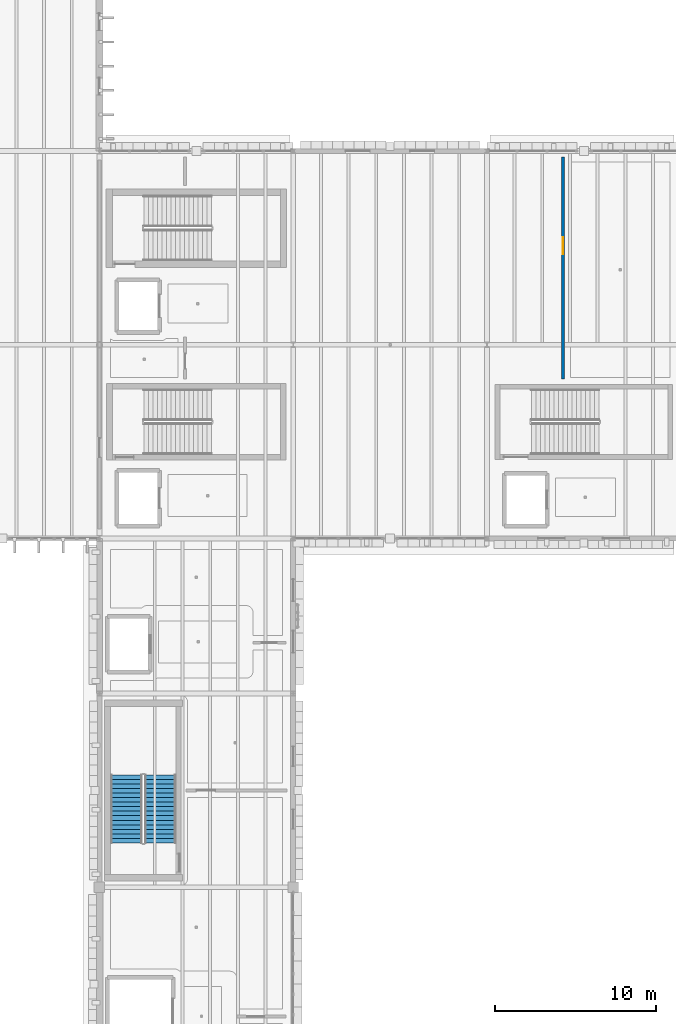
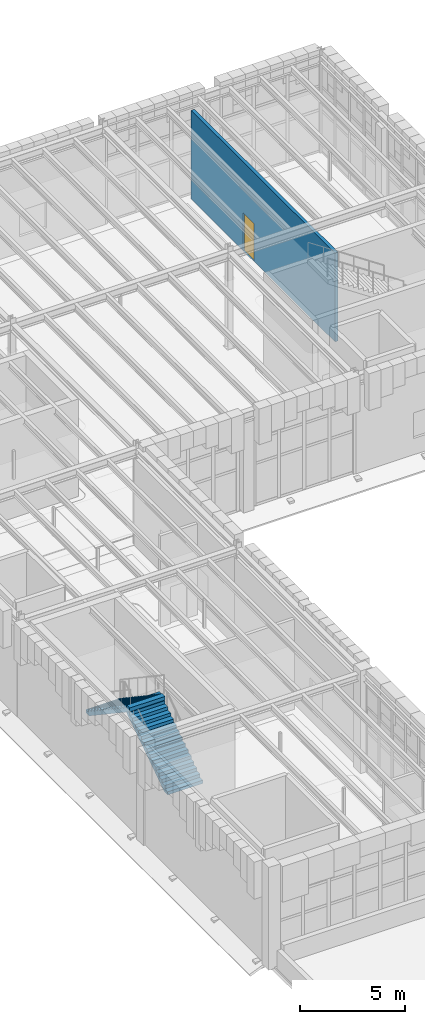
# One storey, part 50 of 83: 2 stair flights, 1 door, 1 wall, 1 opening, 1 element without a shape of its own.
"""IFC4 building model written with IfcOpenShell, lengths in metres."""

from ifc_helpers import new_model, si_unit, direction, frame, frame_2d, origin, place, context, subcontext, project, spatial, polyline, rectangle, outline, extrude, material, layer, layer_set, type_object, element, fill, aggregate, save


model = new_model("IFC4")

# Units and contexts
model_context = context("Model", 3, precision=1e-05, world=origin(), true_north=direction((0.0, 1.0)))
body_context = subcontext(model_context, "Body", "Model", "MODEL_VIEW")
ifc_project = project(units=[si_unit("LENGTHUNIT", "METRE"), si_unit("AREAUNIT", "SQUARE_METRE"), si_unit("VOLUMEUNIT", "CUBIC_METRE"), si_unit("PLANEANGLEUNIT", "RADIAN"), si_unit("MASSUNIT", "GRAM", prefix="KILO")], contexts=[model_context])

# Site, building, storey
site_placement = place(None, origin())
site = spatial("IfcSite", under=ifc_project, at=site_placement, CompositionType="ELEMENT")
building_placement = place(site_placement, origin())
building = spatial("IfcBuilding", under=site, at=building_placement, Name="Zlatogorsky Bluff Art Gallery", CompositionType="ELEMENT")
storey_placement = place(building_placement, frame((0.0, 0.0, 10.800048828125)))
storey = spatial("IfcBuildingStorey", under=building, at=storey_placement, Name="L02", CompositionType="ELEMENT", Elevation=10.800048828125)

# Wall, opening, door
ifc_material_1 = material(Name="Concrete C30/37", Category="concrete")
ifc_layer = layer(ifc_material_1, 0.179931640625)
ifc_layer_set = layer_set([ifc_layer], Name="Interior Wall IW-02 180mm")
wall_type = type_object("IfcWallType", Name="Interior Wall IW-02 180mm", PredefinedType="PARTITIONING", material=ifc_layer_set)
wall_placement = place(storey_placement, frame((148.710693359375, 93.8701171875, 0.0), z_axis=(0.0, 0.0, 1.0), x_axis=(0.0, 1.0, 0.0)))
wall = element("IfcWall", 1, at=wall_placement, inside=storey, type_object=wall_type, Name="Partition IW-02 between L02-CR-12 and L02-CR-13", PredefinedType="PARTITIONING", context=body_context, shape_type="SweptSolid", body=[
    extrude(rectangle(XDim=13.75, YDim=0.179931640625, at=frame_2d((6.875, 0.0))), origin(), (0.0, 0.0, 1.0), 5.179931640625),
])
opening_placement = place(wall_placement, frame((7.72509765625, 0.0, 0.0)))
opening = element("IfcOpeningElement", 2, at=opening_placement, cuts=wall, Name="Opening ID-04", PredefinedType="OPENING", context=body_context, shape_type="SweptSolid", body=[
    extrude(rectangle(XDim=1.050048828125, YDim=2.199951171875, at=frame_2d((0.52490234375, 1.10009765625))), frame((0.0, 0.099853515625, 0.0), z_axis=(0.0, -1.0, 0.0), x_axis=(1.0, 0.0, 0.0)), (0.0, 0.0, 1.0), 0.199951171875),
])
ifc_material_2 = material(Name="Anodised Aluminium and Laminated Timber", Category="wood")
door_type = type_object("IfcDoorType", Name="Interior Door ID-04 1050x2200", OperationType="SINGLE_SWING_LEFT", PredefinedType="DOOR", material=ifc_material_2)
door_placement = place(opening_placement, origin())
door = element("IfcDoor", 3, at=door_placement, inside=storey, type_object=door_type, Name="Door ID-04 L02-CR-12-L02-CR-13", OperationType="SINGLE_SWING_RIGHT", OverallHeight=2.199951171875, OverallWidth=1.050048828125, PredefinedType="DOOR", context=body_context, shape_type="SweptSolid", body=[
    extrude(rectangle(XDim=1.050048828125, YDim=2.199951171875, at=frame_2d((0.52490234375, 1.10009765625))), frame((0.0, 0.02490234375, 0.0), z_axis=(0.0, -1.0, 0.0), x_axis=(1.0, 0.0, 0.0)), (0.0, 0.0, 1.0), 0.050048828125),
])
fill(opening, door)

# Stair, stair flights
stair_type = type_object("IfcStairType", Name="Protected Dogleg Stair ST-T6", PredefinedType="HALF_TURN_STAIR", material=ifc_material_1)
stair_placement = place(storey_placement, origin())
stair = element("IfcStair", 4, at=stair_placement, inside=storey, type_object=stair_type, Name="L02 Protected Exit Stair ST-06", PredefinedType="HALF_TURN_STAIR")
stair_flight_type = type_object("IfcStairFlightType", Name="Stair Flight ST-T6", PredefinedType="STRAIGHT", material=ifc_material_1)
stair_flight_1_placement = place(storey_placement, frame((123.77490234375, 65.14990234375, 0.0), z_axis=(0.0, 0.0, 1.0), x_axis=(0.0, 1.0, 0.0)))
stair_flight_1 = element("IfcStairFlight", 5, at=stair_flight_1_placement, type_object=stair_flight_type, Name="ST-06 flight 1", NumberOfRisers=16, NumberOfTreads=15, PredefinedType="STRAIGHT", RiserHeight=0.1875, TreadLength=0.28, context=body_context, shape_type="SweptSolid", body=[
    extrude(outline(polyline([(0.0, 0.0), (0.0, 0.1875), (0.280029296875, 0.1875), (0.280029296875, 0.375), (0.56005859375, 0.375), (0.56005859375, 0.5625), (0.840087890625, 0.5625), (0.840087890625, 0.75), (1.1201171875, 0.75), (1.1201171875, 0.9375), (1.39990234375, 0.9375), (1.39990234375, 1.125), (1.679931640625, 1.125), (1.679931640625, 1.3125), (1.9599609375, 1.3125), (1.9599609375, 1.5), (2.239990234375, 1.5), (2.239990234375, 1.6875), (2.52001953125, 1.6875), (2.52001953125, 1.875), (2.800048828125, 1.875), (2.800048828125, 2.0625), (3.080078125, 2.0625), (3.080078125, 2.25), (3.360107421875, 2.25), (3.360107421875, 2.4375), (3.639892578125, 2.4375), (3.639892578125, 2.625), (3.919921875, 2.625), (3.919921875, 2.8125), (4.199951171875, 2.8125), (4.199951171875, 3.0), (4.199951171875, 2.595947265625), (0.323486328125, 0.0), (0.0, 0.0)])), frame((0.0, 0.97509765625, 0.0), z_axis=(0.0, -1.0, 0.0), x_axis=(1.0, 0.0, 0.0)), (0.0, 0.0, 1.0), 1.949951171875),
])
stair_flight_2_placement = place(storey_placement, frame((121.675048828125, 69.35009765625, 3.0), z_axis=(0.0, 0.0, 1.0), x_axis=(0.0, -1.0, 0.0)))
stair_flight_2 = element("IfcStairFlight", 6, at=stair_flight_2_placement, type_object=stair_flight_type, Name="ST-06 flight 2", NumberOfRisers=16, NumberOfTreads=15, PredefinedType="STRAIGHT", RiserHeight=0.1875, TreadLength=0.28, context=body_context, shape_type="SweptSolid", body=[
    extrude(outline(polyline([(0.0, 0.0), (0.0, 0.1875), (0.280029296875, 0.1875), (0.280029296875, 0.375), (0.56005859375, 0.375), (0.56005859375, 0.5625), (0.840087890625, 0.5625), (0.840087890625, 0.75), (1.1201171875, 0.75), (1.1201171875, 0.9375), (1.39990234375, 0.9375), (1.39990234375, 1.125), (1.679931640625, 1.125), (1.679931640625, 1.3125), (1.9599609375, 1.3125), (1.9599609375, 1.5), (2.239990234375, 1.5), (2.239990234375, 1.6875), (2.52001953125, 1.6875), (2.52001953125, 1.875), (2.800048828125, 1.875), (2.800048828125, 2.0625), (3.080078125, 2.0625), (3.080078125, 2.25), (3.360107421875, 2.25), (3.360107421875, 2.4375), (3.639892578125, 2.4375), (3.639892578125, 2.625), (3.919921875, 2.625), (3.919921875, 2.8125), (4.199951171875, 2.8125), (4.199951171875, 3.0), (4.199951171875, 2.595947265625), (0.323486328125, 0.0), (0.0, 0.0)])), frame((0.0, 0.97509765625, 0.0), z_axis=(0.0, -1.0, 0.0), x_axis=(1.0, 0.0, 0.0)), (0.0, 0.0, 1.0), 1.949951171875),
])
aggregate(stair, [stair_flight_1, stair_flight_2])

save(model, "model.ifc")
